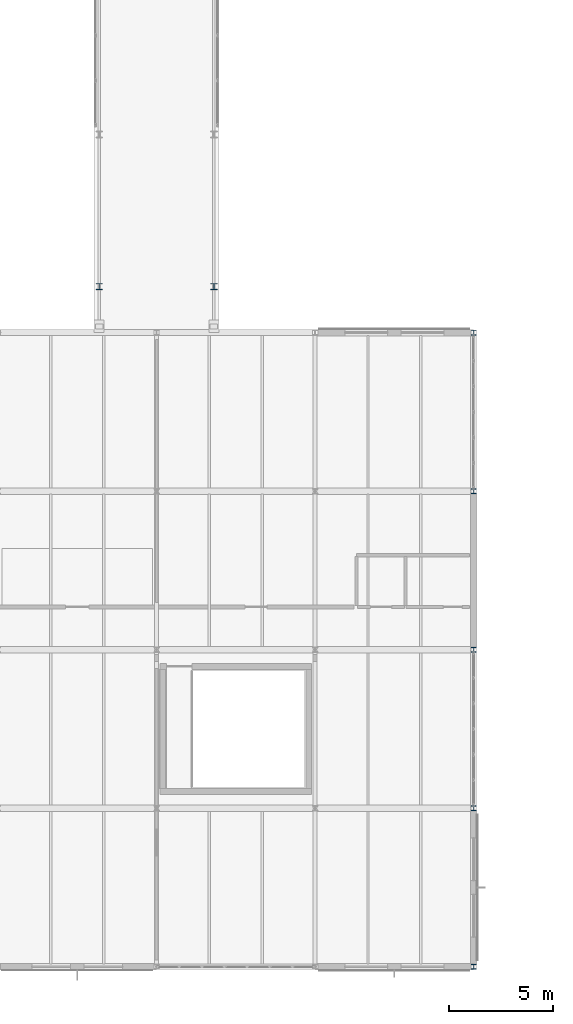
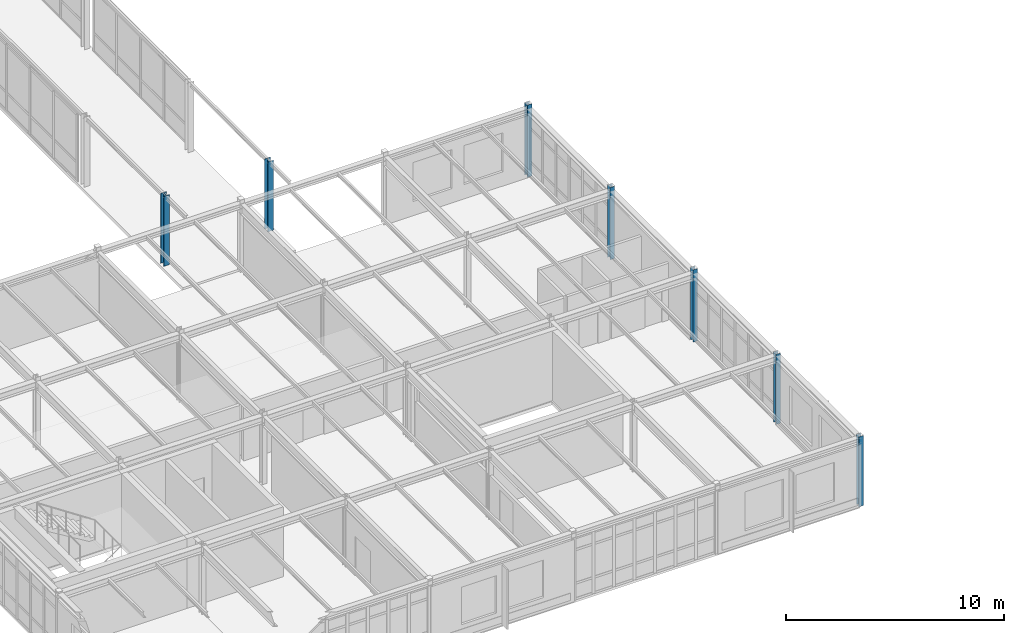
# One storey, part 3 of 189: 7 columns.
"""IFC4 building model written with IfcOpenShell, lengths in metres."""

from ifc_helpers import new_model, si_unit, direction, frame, origin, origin_2d, place, context, subcontext, project, spatial, i_section, extrude, material, material_profile, profile_set, type_object, element, save


model = new_model("IFC4")

# Units and contexts
model_context = context("Model", 3, precision=1e-05, world=origin(), true_north=direction((0.0, 1.0)))
body_context = subcontext(model_context, "Body", "Model", "MODEL_VIEW")
ifc_project = project(units=[si_unit("LENGTHUNIT", "METRE"), si_unit("AREAUNIT", "SQUARE_METRE"), si_unit("VOLUMEUNIT", "CUBIC_METRE"), si_unit("PLANEANGLEUNIT", "RADIAN"), si_unit("MASSUNIT", "GRAM", prefix="KILO")], contexts=[model_context])

# Site, building, storey
site_placement = place(None, origin())
site = spatial("IfcSite", under=ifc_project, at=site_placement, CompositionType="ELEMENT")
building_placement = place(site_placement, origin())
building = spatial("IfcBuilding", under=site, at=building_placement, Name="Montecoro Central Library", CompositionType="ELEMENT")
storey_placement = place(building_placement, frame((0.0, 0.0, 9.179931640625)))
storey = spatial("IfcBuildingStorey", under=building, at=storey_placement, Name="L02", CompositionType="ELEMENT", Elevation=9.179931640625)

# Columns
ifc_material = material(Name="Steel S355", Category="steel")
ifc_material_profile_1 = material_profile(ifc_material, i_section(OverallWidth=0.239990234375, OverallDepth=0.239990234375, WebThickness=0.010009765625, FlangeThickness=0.01708984375, at=origin_2d()), Name="HEB 240")
ifc_profile_set_1 = profile_set([ifc_material_profile_1], Name="Steel S355")
column_type_1 = type_object("IfcColumnType", Name="COL-HEB240", PredefinedType="COLUMN", material=ifc_profile_set_1)
for number, where, z_axis, x_axis, name in (
    (1, (43.0, 5.0, 0.0), (0.0, 0.0, 1.0), (1.0, 0.0, 0.0), "V3-L02-COL-6-A"),
    (2, (43.0, 12.60009765625, 0.0), (0.0, 0.0, 1.0), (1.0, 0.0, 0.0), "V3-L02-COL-6-B"),
):
    element("IfcColumn", number, at=place(storey_placement, frame(where, z_axis=z_axis, x_axis=x_axis)), inside=storey, type_object=column_type_1, Name=name, PredefinedType="COLUMN", context=body_context, shape_type="SweptSolid", body=[
        extrude(i_section(OverallWidth=0.239990234375, OverallDepth=0.239990234375, WebThickness=0.010009765625, FlangeThickness=0.01708984375, at=origin_2d()), origin(), (0.0, 0.0, 1.0), 3.9150390625),
    ])
for number, where, z_axis, x_axis, name in (
    (3, (43.0, 20.199951171875, 0.0), (0.0, 0.0, 1.0), (1.0, 0.0, 0.0), "V3-L02-COL-6-C"),
    (4, (43.0, 27.800048828125, 0.0), (0.0, 0.0, 1.0), (1.0, 0.0, 0.0), "V3-L02-COL-6-D"),
    (5, (43.0, 35.39990234375, 0.0), (0.0, 0.0, 1.0), (1.0, 0.0, 0.0), "V3-L02-COL-6-E"),
):
    element("IfcColumn", number, at=place(storey_placement, frame(where, z_axis=z_axis, x_axis=x_axis)), inside=storey, type_object=column_type_1, Name=name, PredefinedType="COLUMN", context=body_context, shape_type="SweptSolid", body=[
        extrude(i_section(OverallWidth=0.239990234375, OverallDepth=0.239990234375, WebThickness=0.010009765625, FlangeThickness=0.01708984375, at=origin_2d()), origin(), (0.0, 0.0, 1.0), 4.0400390625),
    ])
ifc_material_profile_2 = material_profile(ifc_material, i_section(OverallWidth=0.300048828125, OverallDepth=0.300048828125, WebThickness=0.010986328125, FlangeThickness=0.01904296875, at=origin_2d()), Name="HEB 300")
ifc_profile_set_2 = profile_set([ifc_material_profile_2], Name="Steel S355")
column_type_2 = type_object("IfcColumnType", Name="COL-HEB300", PredefinedType="COLUMN", material=ifc_profile_set_2)
for number, where, z_axis, x_axis, name in (
    (6, (25.050048828125, 37.60009765625, 0.0), (0.0, 0.0, 1.0), (1.0, 0.0, 0.0), "BR-W-L02-COL-250-376"),
    (7, (30.550048828125, 37.60009765625, 0.0), (0.0, 0.0, 1.0), (1.0, 0.0, 0.0), "BR-W-L02-COL-305-376"),
):
    element("IfcColumn", number, at=place(storey_placement, frame(where, z_axis=z_axis, x_axis=x_axis)), inside=storey, type_object=column_type_2, Name=name, PredefinedType="COLUMN", context=body_context, shape_type="SweptSolid", body=[
        extrude(i_section(OverallWidth=0.300048828125, OverallDepth=0.300048828125, WebThickness=0.010986328125, FlangeThickness=0.01904296875, at=origin_2d()), origin(), (0.0, 0.0, 1.0), 3.907958984375),
    ])

save(model, "model.ifc")
